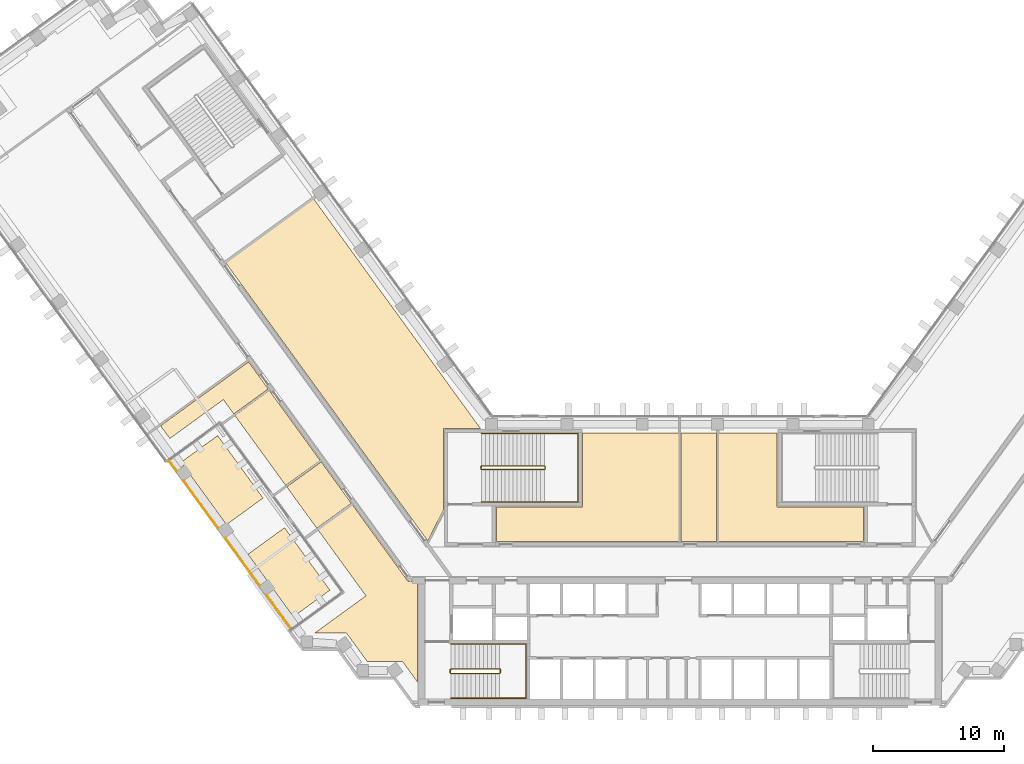
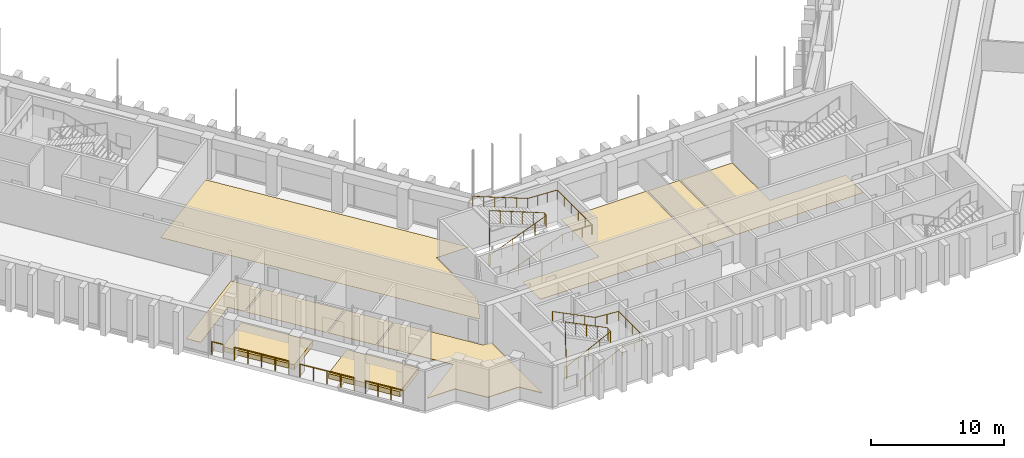
# One storey, part 16 of 18: 10 coverings, 8 railings.
"""IFC4 building model written with IfcOpenShell, lengths in metres."""

from ifc_helpers import new_model, si_unit, direction, frame, origin, origin_2d, place, context, subcontext, project, spatial, polyline, circle, outline, extrude, material, layer, layer_set, type_object, element, save


model = new_model("IFC4")

# Units and contexts
model_context = context("Model", 3, precision=1e-05, world=origin(), true_north=direction((0.0, 1.0)))
body_context = subcontext(model_context, "Body", "Model", "MODEL_VIEW")
ifc_project = project(units=[si_unit("LENGTHUNIT", "METRE"), si_unit("AREAUNIT", "SQUARE_METRE"), si_unit("VOLUMEUNIT", "CUBIC_METRE"), si_unit("PLANEANGLEUNIT", "RADIAN"), si_unit("MASSUNIT", "GRAM", prefix="KILO")], contexts=[model_context])

# Site, building, storey
site_placement = place(None, origin())
site = spatial("IfcSite", under=ifc_project, at=site_placement, CompositionType="ELEMENT")
building_placement = place(site_placement, origin())
building = spatial("IfcBuilding", under=site, at=building_placement, Name="Quipu Civic Tower", CompositionType="ELEMENT")
storey_placement = place(building_placement, frame((0.0, 0.0, 59.0)))
storey = spatial("IfcBuildingStorey", under=building, at=storey_placement, Name="L13", CompositionType="ELEMENT", Elevation=59.0)

# Coverings
ifc_material_1 = material(Name="Carpet tile on raised access floor")
ifc_layer_1 = layer(ifc_material_1, 0.02001953125)
ifc_layer_set_1 = layer_set([ifc_layer_1], Name="Carpet tile on raised access floor")
covering_type_1 = type_object("IfcCoveringType", Name="Carpet tile floor finish 20", PredefinedType="FLOORING", material=ifc_layer_set_1)
covering_1_placement = place(storey_placement, origin())
element("IfcCovering", 1, at=covering_1_placement, inside=storey, type_object=covering_type_1, Name="Carpet tile floor finish 20", PredefinedType="FLOORING", context=body_context, shape_type="SweptSolid", body=[
    extrude(outline(polyline([(-34.719970703125, 22.845947265625), (-27.99609375, 27.72998046875), (-15.238037109375, 10.169921875), (-18.070068359375, 10.1689453125), (-18.070068359375, 3.94189453125), (-19.27197265625, 1.583984375), (-34.719970703125, 22.845947265625)])), origin(), (0.0, 0.0, 1.0), 0.02001953125),
])
covering_2_placement = place(storey_placement, origin())
element("IfcCovering", 2, at=covering_2_placement, inside=storey, type_object=covering_type_1, Name="Carpet tile floor finish 20", PredefinedType="FLOORING", context=body_context, shape_type="SweptSolid", body=[
    extrude(outline(polyline([(2.948974609375, 1.52001953125), (2.948974609375, 9.830078125), (7.429931640625, 9.830078125), (7.430908203125, 4.179931640625), (14.030029296875, 4.179931640625), (14.030029296875, 1.52001953125), (2.948974609375, 1.52001953125)])), origin(), (0.0, 0.0, 1.0), 0.02001953125),
])
covering_3_placement = place(storey_placement, origin())
element("IfcCovering", 3, at=covering_3_placement, inside=storey, type_object=covering_type_1, Name="Carpet tile floor finish 20", PredefinedType="FLOORING", context=body_context, shape_type="SweptSolid", body=[
    extrude(outline(polyline([(-34.014892578125, 11.1708984375), (-31.383056640625, 13.08203125), (-27.4990234375, 7.73388671875), (-30.131103515625, 5.822998046875), (-34.014892578125, 11.1708984375)])), origin(), (0.0, 0.0, 1.0), 0.02001953125),
])
ifc_material_2 = material(Name="Ceramic floor tile")
ifc_layer_2 = layer(ifc_material_2, 0.030029296875)
ifc_layer_set_2 = layer_set([ifc_layer_2], Name="Ceramic floor tile")
covering_type_2 = type_object("IfcCoveringType", Name="Ceramic tile floor finish 30", PredefinedType="FLOORING", material=ifc_layer_set_2)
covering_4_placement = place(storey_placement, origin())
element("IfcCovering", 4, at=covering_4_placement, inside=storey, type_object=covering_type_2, Name="Ceramic tile floor finish 30", PredefinedType="FLOORING", context=body_context, shape_type="SweptSolid", body=[
    extrude(outline(polyline([(-14.030029296875, 4.179931640625), (-7.430908203125, 4.179931640625), (-7.429931640625, 9.830078125), (-0.070068359375, 9.830078125), (-0.070068359375, 1.52001953125), (-14.030029296875, 1.52001953125), (-14.030029296875, 4.179931640625)])), origin(), (0.0, 0.0, 1.0), 0.030029296875),
])
covering_5_placement = place(storey_placement, origin())
element("IfcCovering", 5, at=covering_5_placement, inside=storey, type_object=covering_type_2, Name="Ceramic tile floor finish 30", PredefinedType="FLOORING", context=body_context, shape_type="SweptSolid", body=[
    extrude(outline(polyline([(0.070068359375, 9.830078125), (2.80908203125, 9.830078125), (2.80908203125, 1.52001953125), (0.070068359375, 1.52001953125), (0.070068359375, 9.830078125)])), origin(), (0.0, 0.0, 1.0), 0.030029296875),
])
covering_6_placement = place(storey_placement, origin())
element("IfcCovering", 6, at=covering_6_placement, inside=storey, type_object=covering_type_2, Name="Ceramic tile floor finish 30", PredefinedType="FLOORING", context=body_context, shape_type="SweptSolid", body=[
    extrude(outline(polyline([(-39.694091796875, 10.383056640625), (-32.969970703125, 15.26708984375), (-31.466064453125, 13.195068359375), (-34.097900390625, 11.283935546875), (-34.89599609375, 12.37890625), (-38.986083984375, 9.407958984375), (-39.694091796875, 10.383056640625)])), origin(), (0.0, 0.0, 1.0), 0.030029296875),
])
covering_7_placement = place(storey_placement, origin())
element("IfcCovering", 7, at=covering_7_placement, inside=storey, type_object=covering_type_2, Name="Ceramic tile floor finish 30", PredefinedType="FLOORING", context=body_context, shape_type="SweptSolid", body=[
    extrude(outline(polyline([(-30.048095703125, 5.7099609375), (-27.416015625, 7.62109375), (-25.117919921875, 4.4580078125), (-27.75, 2.547119140625), (-30.048095703125, 5.7099609375)])), origin(), (0.0, 0.0, 1.0), 0.030029296875),
])
ifc_material_3 = material(Name="Planting soil on drainage board")
ifc_layer_3 = layer(ifc_material_3, 0.449951171875)
ifc_layer_set_3 = layer_set([ifc_layer_3], Name="Planting soil on drainage board")
covering_type_3 = type_object("IfcCoveringType", Name="Planted terrace build-up", PredefinedType="FLOORING", material=ifc_layer_set_3)
covering_8_placement = place(storey_placement, origin())
element("IfcCovering", 8, at=covering_8_placement, inside=storey, type_object=covering_type_3, Name="Planted terrace L13 bed 1", PredefinedType="FLOORING", context=body_context, shape_type="SweptSolid", body=[
    extrude(outline(polyline([(-38.126708984375, 7.59619140625), (-35.329833984375, 9.628173828125), (-31.8623046875, 4.855224609375), (-34.6591796875, 2.8232421875), (-38.126708984375, 7.59619140625)])), origin(), (0.0, 0.0, 1.0), 0.449951171875),
])
covering_9_placement = place(storey_placement, origin())
element("IfcCovering", 9, at=covering_9_placement, inside=storey, type_object=covering_type_3, Name="Planted terrace L13 bed 2", PredefinedType="FLOORING", context=body_context, shape_type="SweptSolid", body=[
    extrude(outline(polyline([(-33.01318359375, 0.557861328125), (-30.21630859375, 2.590087890625), (-26.748291015625, -2.18359375), (-29.545166015625, -4.215576171875), (-33.01318359375, 0.557861328125)])), origin(), (0.0, 0.0, 1.0), 0.449951171875),
])
ifc_material_4 = material(Name="Sealed cement screed")
ifc_layer_4 = layer(ifc_material_4, 0.050048828125)
ifc_layer_set_4 = layer_set([ifc_layer_4], Name="Sealed cement screed")
covering_type_4 = type_object("IfcCoveringType", Name="Sealed screed floor finish 50", PredefinedType="FLOORING", material=ifc_layer_set_4)
covering_10_placement = place(storey_placement, origin())
element("IfcCovering", 10, at=covering_10_placement, inside=storey, type_object=covering_type_4, Name="Sealed screed floor finish 50", PredefinedType="FLOORING", context=body_context, shape_type="SweptSolid", body=[
    extrude(outline(polyline([(-27.908935546875, -5.4609375), (-23.9970703125, -2.618896484375), (-27.6669921875, 2.43408203125), (-25.034912109375, 4.344970703125), (-20.77490234375, -1.51904296875), (-20.070068359375, -1.52001953125), (-20.070068359375, -9.195068359375), (-21.196044921875, -7.64599609375), (-21.6630859375, -7.64599609375), (-21.666015625, -7.64404296875), (-21.669921875, -7.64111328125), (-21.675048828125, -7.639892578125), (-21.679931640625, -7.637939453125), (-21.68408203125, -7.636962890625), (-21.68896484375, -7.636962890625), (-21.694091796875, -7.635986328125), (-21.698974609375, -7.636962890625), (-21.7041015625, -7.637939453125), (-21.708984375, -7.638916015625), (-21.712890625, -7.64111328125), (-21.718017578125, -7.64306640625), (-21.721923828125, -7.64599609375), (-21.721923828125, -7.64599609375), (-23.89501953125, -7.64599609375), (-25.48193359375, -5.4619140625), (-27.908935546875, -5.4609375)])), origin(), (0.0, 0.0, 1.0), 0.050048828125),
])

# Railings
ifc_material_5 = material(Name="Stainless steel", Category="steel")
railing_type_1 = type_object("IfcRailingType", Name="Stair guard 1100", PredefinedType="GUARDRAIL", material=ifc_material_5)
railing_1_placement = place(storey_placement, frame((-17.5, -8.550048828125, 0.15380859375)))
element("IfcRailing", 11, at=railing_1_placement, inside=storey, type_object=railing_type_1, Name="Stair 1 guard", PredefinedType="GUARDRAIL", context=body_context, shape_type="SweptSolid", body=[
    extrude(circle(Radius=0.02392578125, at=origin_2d()), frame((0.0, 0.0, 1.076171875), z_axis=(0.895751851347, 0.0, 0.444554407028), x_axis=(0.0, 1.0, 0.0)), (0.0, 0.0, 1.0), 4.15283203125),
    extrude(circle(Radius=0.02392578125, at=origin_2d()), frame((3.719970703125, 0.0, 2.92236328125), z_axis=(0.707106781187, 0.707106781187, 0.0), x_axis=(-0.707106781187, 0.707106781187, 0.0)), (0.0, 0.0, 1.0), 0.07080078125),
    extrude(circle(Radius=0.02392578125, at=origin_2d()), frame((3.77001953125, 0.050048828125, 2.92236328125), z_axis=(0.0, 1.0, 0.0), x_axis=(-1.0, 0.0, 0.0)), (0.0, 0.0, 1.0), 0.25),
    extrude(circle(Radius=0.02392578125, at=origin_2d()), frame((3.77001953125, 0.300048828125, 2.92236328125), z_axis=(-0.295599637079, 0.295599637079, 0.908428152975), x_axis=(-0.707106781187, -0.707106781187, 0.0)), (0.0, 0.0, 1.0), 0.16943359375),
    extrude(circle(Radius=0.02392578125, at=origin_2d()), frame((3.719970703125, 0.35009765625, 3.076171875), z_axis=(-0.895751851347, 0.0, 0.444554407028), x_axis=(0.0, -1.0, 0.0)), (0.0, 0.0, 1.0), 4.15283203125),
    extrude(circle(Radius=0.02392578125, at=origin_2d()), frame((0.0, 0.35009765625, 4.92236328125), z_axis=(-0.012476181752, -0.074796231092, -0.997120789425), x_axis=(0.986372223864, -0.164529134168, 0.0)), (0.0, 0.0, 1.0), 4.011474609375),
    extrude(circle(Radius=0.02392578125, at=origin_2d()), frame((-0.050048828125, 0.050048828125, 0.92236328125), z_axis=(0.0, 1.0, 0.0), x_axis=(-1.0, 0.0, 0.0)), (0.0, 0.0, 1.0), 0.25),
    extrude(circle(Radius=0.02099609375, at=origin_2d()), origin(), (0.0, 0.0, 1.0), 1.052001953125),
    extrude(circle(Radius=0.02099609375, at=origin_2d()), frame((0.929931640625, 0.0, 0.46142578125)), (0.0, 0.0, 1.0), 1.052001953125),
    extrude(circle(Radius=0.02099609375, at=origin_2d()), frame((1.85986328125, 0.0, 0.923095703125)), (0.0, 0.0, 1.0), 1.052001953125),
    extrude(circle(Radius=0.02099609375, at=origin_2d()), frame((2.7900390625, 0.0, 1.384765625)), (0.0, 0.0, 1.0), 1.052001953125),
    extrude(circle(Radius=0.02099609375, at=origin_2d()), frame((3.719970703125, 0.0, 1.84619140625)), (0.0, 0.0, 1.0), 1.052001953125),
    extrude(circle(Radius=0.02099609375, at=origin_2d()), frame((3.77001953125, 0.050048828125, 1.84619140625)), (0.0, 0.0, 1.0), 1.052001953125),
    extrude(circle(Radius=0.02099609375, at=origin_2d()), frame((3.77001953125, 0.300048828125, 1.84619140625)), (0.0, 0.0, 1.0), 1.052001953125),
    extrude(circle(Radius=0.02099609375, at=origin_2d()), frame((3.719970703125, 0.35009765625, 2.0)), (0.0, 0.0, 1.0), 1.052001953125),
    extrude(circle(Radius=0.02099609375, at=origin_2d()), frame((2.7900390625, 0.35009765625, 2.46142578125)), (0.0, 0.0, 1.0), 1.052001953125),
    extrude(circle(Radius=0.02099609375, at=origin_2d()), frame((1.85986328125, 0.35009765625, 2.923095703125)), (0.0, 0.0, 1.0), 1.052001953125),
    extrude(circle(Radius=0.02099609375, at=origin_2d()), frame((0.929931640625, 0.35009765625, 3.384765625)), (0.0, 0.0, 1.0), 1.052001953125),
    extrude(circle(Radius=0.02099609375, at=origin_2d()), frame((0.0, 0.35009765625, 3.84619140625)), (0.0, 0.0, 1.0), 1.052001953125),
    extrude(circle(Radius=0.02099609375, at=origin_2d()), frame((-0.012451171875, 0.275146484375, 2.84619140625)), (0.0, 0.0, 1.0), 1.052001953125),
    extrude(circle(Radius=0.02099609375, at=origin_2d()), frame((-0.02490234375, 0.2001953125, 1.84619140625)), (0.0, 0.0, 1.0), 1.052001953125),
    extrude(circle(Radius=0.02099609375, at=origin_2d()), frame((-0.03759765625, 0.125, 0.84619140625)), (0.0, 0.0, 1.0), 1.052001953125),
    extrude(circle(Radius=0.02099609375, at=origin_2d()), frame((-0.050048828125, 0.050048828125, -0.15380859375)), (0.0, 0.0, 1.0), 1.052001953125),
    extrude(circle(Radius=0.02099609375, at=origin_2d()), frame((-0.050048828125, 0.300048828125, -0.15380859375)), (0.0, 0.0, 1.0), 1.052001953125),
])
railing_2_placement = place(storey_placement, frame((-15.14990234375, 7.050048828125, 0.11767578125)))
element("IfcRailing", 12, at=railing_2_placement, inside=storey, type_object=railing_type_1, Name="Stair 3 guard", PredefinedType="GUARDRAIL", context=body_context, shape_type="SweptSolid", body=[
    extrude(circle(Radius=0.02392578125, at=origin_2d()), frame((0.0, 0.0, 1.076171875), z_axis=(0.930970042603, 0.0, 0.365095576219), x_axis=(0.0, 1.0, 0.0)), (0.0, 0.0, 1.0), 5.15576171875),
    extrude(circle(Radius=0.02392578125, at=origin_2d()), frame((4.7998046875, 0.0, 2.95849609375), z_axis=(0.707106781187, 0.707106781187, 0.0), x_axis=(-0.707106781187, 0.707106781187, 0.0)), (0.0, 0.0, 1.0), 0.07080078125),
    extrude(circle(Radius=0.02392578125, at=origin_2d()), frame((4.849853515625, 0.050048828125, 2.95849609375), z_axis=(0.0, 1.0, 0.0), x_axis=(-1.0, 0.0, 0.0)), (0.0, 0.0, 1.0), 0.14990234375),
    extrude(circle(Radius=0.02392578125, at=origin_2d()), frame((4.849853515625, 0.199951171875, 2.95849609375), z_axis=(-0.364463019033, 0.364463019033, 0.856932561824), x_axis=(-0.707106781187, -0.707106781187, 0.0)), (0.0, 0.0, 1.0), 0.13720703125),
    extrude(circle(Radius=0.02392578125, at=origin_2d()), frame((4.7998046875, 0.25, 3.076171875), z_axis=(-0.930970042603, 0.0, 0.365095576219), x_axis=(0.0, -1.0, 0.0)), (0.0, 0.0, 1.0), 5.15576171875),
    extrude(circle(Radius=0.02392578125, at=origin_2d()), frame((0.0, 0.25, 4.95849609375), z_axis=(-0.012495627992, -0.049921557685, -0.998674970829), x_axis=(0.970072785993, -0.242814311512, 0.0)), (0.0, 0.0, 1.0), 4.00537109375),
    extrude(circle(Radius=0.02392578125, at=origin_2d()), frame((-0.050048828125, 0.050048828125, 0.95849609375), z_axis=(0.0, 1.0, 0.0), x_axis=(-1.0, 0.0, 0.0)), (0.0, 0.0, 1.0), 0.14990234375),
    extrude(circle(Radius=0.02099609375, at=origin_2d()), origin(), (0.0, 0.0, 1.0), 1.052001953125),
    extrude(circle(Radius=0.02099609375, at=origin_2d()), frame((0.9599609375, 0.0, 0.37646484375)), (0.0, 0.0, 1.0), 1.052001953125),
    extrude(circle(Radius=0.02099609375, at=origin_2d()), frame((1.919921875, 0.0, 0.7529296875)), (0.0, 0.0, 1.0), 1.052001953125),
    extrude(circle(Radius=0.02099609375, at=origin_2d()), frame((2.8798828125, 0.0, 1.12939453125)), (0.0, 0.0, 1.0), 1.052001953125),
    extrude(circle(Radius=0.02099609375, at=origin_2d()), frame((3.83984375, 0.0, 1.505859375)), (0.0, 0.0, 1.0), 1.052001953125),
    extrude(circle(Radius=0.02099609375, at=origin_2d()), frame((4.7998046875, 0.0, 1.88232421875)), (0.0, 0.0, 1.0), 1.052001953125),
    extrude(circle(Radius=0.02099609375, at=origin_2d()), frame((4.849853515625, 0.050048828125, 1.88232421875)), (0.0, 0.0, 1.0), 1.052001953125),
    extrude(circle(Radius=0.02099609375, at=origin_2d()), frame((4.849853515625, 0.199951171875, 1.88232421875)), (0.0, 0.0, 1.0), 1.052001953125),
    extrude(circle(Radius=0.02099609375, at=origin_2d()), frame((4.7998046875, 0.25, 2.0)), (0.0, 0.0, 1.0), 1.052001953125),
    extrude(circle(Radius=0.02099609375, at=origin_2d()), frame((3.83984375, 0.25, 2.37646484375)), (0.0, 0.0, 1.0), 1.052001953125),
    extrude(circle(Radius=0.02099609375, at=origin_2d()), frame((2.8798828125, 0.25, 2.7529296875)), (0.0, 0.0, 1.0), 1.052001953125),
    extrude(circle(Radius=0.02099609375, at=origin_2d()), frame((1.919921875, 0.25, 3.12939453125)), (0.0, 0.0, 1.0), 1.052001953125),
    extrude(circle(Radius=0.02099609375, at=origin_2d()), frame((0.9599609375, 0.25, 3.505859375)), (0.0, 0.0, 1.0), 1.052001953125),
    extrude(circle(Radius=0.02099609375, at=origin_2d()), frame((0.0, 0.25, 3.88232421875)), (0.0, 0.0, 1.0), 1.052001953125),
    extrude(circle(Radius=0.02099609375, at=origin_2d()), frame((-0.012451171875, 0.199951171875, 2.88232421875)), (0.0, 0.0, 1.0), 1.052001953125),
    extrude(circle(Radius=0.02099609375, at=origin_2d()), frame((-0.02490234375, 0.14990234375, 1.88232421875)), (0.0, 0.0, 1.0), 1.052001953125),
    extrude(circle(Radius=0.02099609375, at=origin_2d()), frame((-0.03759765625, 0.10009765625, 0.88232421875)), (0.0, 0.0, 1.0), 1.052001953125),
    extrude(circle(Radius=0.02099609375, at=origin_2d()), frame((-0.050048828125, 0.050048828125, -0.11767578125)), (0.0, 0.0, 1.0), 1.052001953125),
    extrude(circle(Radius=0.02099609375, at=origin_2d()), frame((-0.050048828125, 0.199951171875, -0.11767578125)), (0.0, 0.0, 1.0), 1.052001953125),
])
ifc_material_6 = material(Name="Stainless steel", Category="steel")
railing_type_2 = type_object("IfcRailingType", Name="Stair handrail", PredefinedType="HANDRAIL", material=ifc_material_6)
railing_3_placement = place(storey_placement, frame((-17.5, -10.449951171875, 0.15380859375)))
element("IfcRailing", 13, at=railing_3_placement, inside=storey, type_object=railing_type_2, Name="Stair 1 handrail", PredefinedType="HANDRAIL", context=body_context, shape_type="SweptSolid", body=[
    extrude(circle(Radius=0.02392578125, at=origin_2d()), frame((0.0, 0.0, 0.8759765625), z_axis=(0.895751851347, 0.0, 0.444554407028), x_axis=(0.0, 1.0, 0.0)), (0.0, 0.0, 1.0), 4.15283203125),
    extrude(circle(Radius=0.02392578125, at=origin_2d()), frame((3.719970703125, 0.0, 2.72216796875), z_axis=(1.0, 0.0, 0.0), x_axis=(0.0, 1.0, 0.0)), (0.0, 0.0, 1.0), 2.030029296875),
    extrude(circle(Radius=0.02392578125, at=origin_2d()), frame((5.75, 0.0, 2.72216796875), z_axis=(0.0, 1.0, 0.0), x_axis=(-1.0, 0.0, 0.0)), (0.0, 0.0, 1.0), 4.14990234375),
    extrude(circle(Radius=0.02392578125, at=origin_2d()), frame((5.75, 4.14990234375, 2.72216796875), z_axis=(-0.997142003663, 0.0, 0.075550145798), x_axis=(0.0, -1.0, 0.0)), (0.0, 0.0, 1.0), 2.035888671875),
    extrude(circle(Radius=0.02392578125, at=origin_2d()), frame((3.719970703125, 4.14990234375, 2.8759765625), z_axis=(-0.895751851347, 0.0, 0.444554407028), x_axis=(0.0, -1.0, 0.0)), (0.0, 0.0, 1.0), 4.15283203125),
    extrude(circle(Radius=0.02099609375, at=origin_2d()), origin(), (0.0, 0.0, 1.0), 0.851806640625),
    extrude(circle(Radius=0.02099609375, at=origin_2d()), frame((0.929931640625, 0.0, 0.46142578125)), (0.0, 0.0, 1.0), 0.851806640625),
    extrude(circle(Radius=0.02099609375, at=origin_2d()), frame((1.85986328125, 0.0, 0.923095703125)), (0.0, 0.0, 1.0), 0.851806640625),
    extrude(circle(Radius=0.02099609375, at=origin_2d()), frame((2.7900390625, 0.0, 1.384765625)), (0.0, 0.0, 1.0), 0.851806640625),
    extrude(circle(Radius=0.02099609375, at=origin_2d()), frame((3.719970703125, 0.0, 1.84619140625)), (0.0, 0.0, 1.0), 0.851806640625),
    extrude(circle(Radius=0.02099609375, at=origin_2d()), frame((4.73486328125, 0.0, 1.84619140625)), (0.0, 0.0, 1.0), 0.851806640625),
    extrude(circle(Radius=0.02099609375, at=origin_2d()), frame((5.75, 0.0, 1.84619140625)), (0.0, 0.0, 1.0), 0.851806640625),
    extrude(circle(Radius=0.02099609375, at=origin_2d()), frame((5.75, 1.03759765625, 1.84619140625)), (0.0, 0.0, 1.0), 0.851806640625),
    extrude(circle(Radius=0.02099609375, at=origin_2d()), frame((5.75, 2.074951171875, 1.84619140625)), (0.0, 0.0, 1.0), 0.851806640625),
    extrude(circle(Radius=0.02099609375, at=origin_2d()), frame((5.75, 3.1123046875, 1.84619140625)), (0.0, 0.0, 1.0), 0.851806640625),
    extrude(circle(Radius=0.02099609375, at=origin_2d()), frame((5.75, 4.14990234375, 1.84619140625)), (0.0, 0.0, 1.0), 0.851806640625),
    extrude(circle(Radius=0.02099609375, at=origin_2d()), frame((4.73486328125, 4.14990234375, 1.923095703125)), (0.0, 0.0, 1.0), 0.851806640625),
    extrude(circle(Radius=0.02099609375, at=origin_2d()), frame((3.719970703125, 4.14990234375, 2.0)), (0.0, 0.0, 1.0), 0.851806640625),
    extrude(circle(Radius=0.02099609375, at=origin_2d()), frame((2.7900390625, 4.14990234375, 2.46142578125)), (0.0, 0.0, 1.0), 0.851806640625),
    extrude(circle(Radius=0.02099609375, at=origin_2d()), frame((1.85986328125, 4.14990234375, 2.923095703125)), (0.0, 0.0, 1.0), 0.851806640625),
    extrude(circle(Radius=0.02099609375, at=origin_2d()), frame((0.929931640625, 4.14990234375, 3.384765625)), (0.0, 0.0, 1.0), 0.851806640625),
    extrude(circle(Radius=0.02099609375, at=origin_2d()), frame((0.0, 4.14990234375, 3.84619140625)), (0.0, 0.0, 1.0), 0.851806640625),
])
railing_4_placement = place(storey_placement, frame((-15.14990234375, 4.550048828125, 0.11767578125)))
element("IfcRailing", 14, at=railing_4_placement, inside=storey, type_object=railing_type_2, Name="Stair 3 handrail", PredefinedType="HANDRAIL", context=body_context, shape_type="SweptSolid", body=[
    extrude(circle(Radius=0.02392578125, at=origin_2d()), frame((0.0, 0.0, 0.8759765625), z_axis=(0.930970042603, 0.0, 0.365095576219), x_axis=(0.0, 1.0, 0.0)), (0.0, 0.0, 1.0), 5.15576171875),
    extrude(circle(Radius=0.02392578125, at=origin_2d()), frame((4.7998046875, 0.0, 2.75830078125), z_axis=(1.0, 0.0, 0.0), x_axis=(0.0, 1.0, 0.0)), (0.0, 0.0, 1.0), 2.550048828125),
    extrude(circle(Radius=0.02392578125, at=origin_2d()), frame((7.349853515625, 0.0, 2.75830078125), z_axis=(0.0, 1.0, 0.0), x_axis=(-1.0, 0.0, 0.0)), (0.0, 0.0, 1.0), 5.25),
    extrude(circle(Radius=0.02392578125, at=origin_2d()), frame((7.349853515625, 5.25, 2.75830078125), z_axis=(-0.998936948642, 0.0, 0.04609742549), x_axis=(0.0, -1.0, 0.0)), (0.0, 0.0, 1.0), 2.552734375),
    extrude(circle(Radius=0.02392578125, at=origin_2d()), frame((4.7998046875, 5.25, 2.8759765625), z_axis=(-0.930970042603, 0.0, 0.365095576219), x_axis=(0.0, -1.0, 0.0)), (0.0, 0.0, 1.0), 5.15576171875),
    extrude(circle(Radius=0.02099609375, at=origin_2d()), origin(), (0.0, 0.0, 1.0), 0.851806640625),
    extrude(circle(Radius=0.02099609375, at=origin_2d()), frame((0.9599609375, 0.0, 0.37646484375)), (0.0, 0.0, 1.0), 0.851806640625),
    extrude(circle(Radius=0.02099609375, at=origin_2d()), frame((1.919921875, 0.0, 0.7529296875)), (0.0, 0.0, 1.0), 0.851806640625),
    extrude(circle(Radius=0.02099609375, at=origin_2d()), frame((2.8798828125, 0.0, 1.12939453125)), (0.0, 0.0, 1.0), 0.851806640625),
    extrude(circle(Radius=0.02099609375, at=origin_2d()), frame((3.83984375, 0.0, 1.505859375)), (0.0, 0.0, 1.0), 0.851806640625),
    extrude(circle(Radius=0.02099609375, at=origin_2d()), frame((4.7998046875, 0.0, 1.88232421875)), (0.0, 0.0, 1.0), 0.851806640625),
    extrude(circle(Radius=0.02099609375, at=origin_2d()), frame((5.64990234375, 0.0, 1.88232421875)), (0.0, 0.0, 1.0), 0.851806640625),
    extrude(circle(Radius=0.02099609375, at=origin_2d()), frame((6.499755859375, 0.0, 1.88232421875)), (0.0, 0.0, 1.0), 0.851806640625),
    extrude(circle(Radius=0.02099609375, at=origin_2d()), frame((7.349853515625, 0.0, 1.88232421875)), (0.0, 0.0, 1.0), 0.851806640625),
    extrude(circle(Radius=0.02099609375, at=origin_2d()), frame((7.349853515625, 1.050048828125, 1.88232421875)), (0.0, 0.0, 1.0), 0.851806640625),
    extrude(circle(Radius=0.02099609375, at=origin_2d()), frame((7.349853515625, 2.10009765625, 1.88232421875)), (0.0, 0.0, 1.0), 0.851806640625),
    extrude(circle(Radius=0.02099609375, at=origin_2d()), frame((7.349853515625, 3.14990234375, 1.88232421875)), (0.0, 0.0, 1.0), 0.851806640625),
    extrude(circle(Radius=0.02099609375, at=origin_2d()), frame((7.349853515625, 4.199951171875, 1.88232421875)), (0.0, 0.0, 1.0), 0.851806640625),
    extrude(circle(Radius=0.02099609375, at=origin_2d()), frame((7.349853515625, 5.25, 1.88232421875)), (0.0, 0.0, 1.0), 0.851806640625),
    extrude(circle(Radius=0.02099609375, at=origin_2d()), frame((6.499755859375, 5.25, 1.921630859375)), (0.0, 0.0, 1.0), 0.851806640625),
    extrude(circle(Radius=0.02099609375, at=origin_2d()), frame((5.64990234375, 5.25, 1.960693359375)), (0.0, 0.0, 1.0), 0.851806640625),
    extrude(circle(Radius=0.02099609375, at=origin_2d()), frame((4.7998046875, 5.25, 2.0)), (0.0, 0.0, 1.0), 0.851806640625),
    extrude(circle(Radius=0.02099609375, at=origin_2d()), frame((3.83984375, 5.25, 2.37646484375)), (0.0, 0.0, 1.0), 0.851806640625),
    extrude(circle(Radius=0.02099609375, at=origin_2d()), frame((2.8798828125, 5.25, 2.7529296875)), (0.0, 0.0, 1.0), 0.851806640625),
    extrude(circle(Radius=0.02099609375, at=origin_2d()), frame((1.919921875, 5.25, 3.12939453125)), (0.0, 0.0, 1.0), 0.851806640625),
    extrude(circle(Radius=0.02099609375, at=origin_2d()), frame((0.9599609375, 5.25, 3.505859375)), (0.0, 0.0, 1.0), 0.851806640625),
    extrude(circle(Radius=0.02099609375, at=origin_2d()), frame((0.0, 5.25, 3.88232421875)), (0.0, 0.0, 1.0), 0.851806640625),
])
ifc_material_7 = material(Name="Steel S275", Category="steel")
railing_type_3 = type_object("IfcRailingType", Name="Terrace guard G1", PredefinedType="GUARDRAIL", material=ifc_material_7)
railing_5_placement = place(storey_placement, frame((-39.029541015625, 7.681884765625, 0.0)))
element("IfcRailing", 15, at=railing_5_placement, inside=storey, type_object=railing_type_3, Name="Terrace guard L13.1", PredefinedType="GUARDRAIL", context=body_context, shape_type="SweptSolid", body=[
    extrude(circle(Radius=0.02490234375, at=origin_2d()), frame((0.0, 0.0, 1.1748046875), z_axis=(0.587821974901, -0.808990312565, 0.0), x_axis=(0.808990312565, 0.587821974901, 0.0)), (0.0, 0.0, 1.0), 0.954833984375),
    extrude(circle(Radius=0.02490234375, at=origin_2d()), origin(), (0.0, 0.0, 1.0), 1.14990234375),
    extrude(circle(Radius=0.02490234375, at=origin_2d()), frame((0.561279296875, -0.7724609375, 0.0)), (0.0, 0.0, 1.0), 1.14990234375),
])
for number, where, name in (
    (16, (-37.939453125, 6.18115234375, 0.0), "Terrace guard L13.2"),
    (17, (-34.765380859375, 1.8125, 0.0), "Terrace guard L13.3"),
):
    element("IfcRailing", number, at=place(storey_placement, frame(where)), inside=storey, type_object=railing_type_3, Name=name, PredefinedType="GUARDRAIL", context=body_context, shape_type="SweptSolid", body=[
        extrude(circle(Radius=0.02490234375, at=origin_2d()), frame((0.0, 0.0, 1.1748046875), z_axis=(0.587803872688, -0.809003465539, 0.0), x_axis=(0.809003465539, 0.587803872688, 0.0)), (0.0, 0.0, 1.0), 4.499755859375),
        extrude(circle(Radius=0.02490234375, at=origin_2d()), origin(), (0.0, 0.0, 1.0), 1.14990234375),
        extrude(circle(Radius=0.02490234375, at=origin_2d()), frame((0.6611328125, -0.91015625, 0.0)), (0.0, 0.0, 1.0), 1.14990234375),
        extrude(circle(Radius=0.02490234375, at=origin_2d()), frame((1.322509765625, -1.8203125, 0.0)), (0.0, 0.0, 1.0), 1.14990234375),
        extrude(circle(Radius=0.02490234375, at=origin_2d()), frame((1.98388671875, -2.730224609375, 0.0)), (0.0, 0.0, 1.0), 1.14990234375),
        extrude(circle(Radius=0.02490234375, at=origin_2d()), frame((2.64501953125, -3.640380859375, 0.0)), (0.0, 0.0, 1.0), 1.14990234375),
    ])
railing_6_placement = place(storey_placement, frame((-31.59130859375, -2.55615234375, 0.0)))
element("IfcRailing", 18, at=railing_6_placement, inside=storey, type_object=railing_type_3, Name="Terrace guard L13.4", PredefinedType="GUARDRAIL", context=body_context, shape_type="SweptSolid", body=[
    extrude(circle(Radius=0.02490234375, at=origin_2d()), frame((0.0, 0.0, 1.1748046875), z_axis=(0.587783919787, -0.809017962495, 0.0), x_axis=(0.809017962495, 0.587783919787, 0.0)), (0.0, 0.0, 1.0), 3.14501953125),
    extrude(circle(Radius=0.02490234375, at=origin_2d()), origin(), (0.0, 0.0, 1.0), 1.14990234375),
    extrude(circle(Radius=0.02490234375, at=origin_2d()), frame((0.6162109375, -0.84814453125, 0.0)), (0.0, 0.0, 1.0), 1.14990234375),
    extrude(circle(Radius=0.02490234375, at=origin_2d()), frame((1.232421875, -1.6962890625, 0.0)), (0.0, 0.0, 1.0), 1.14990234375),
    extrude(circle(Radius=0.02490234375, at=origin_2d()), frame((1.8486328125, -2.54443359375, 0.0)), (0.0, 0.0, 1.0), 1.14990234375),
])

save(model, "model.ifc")
